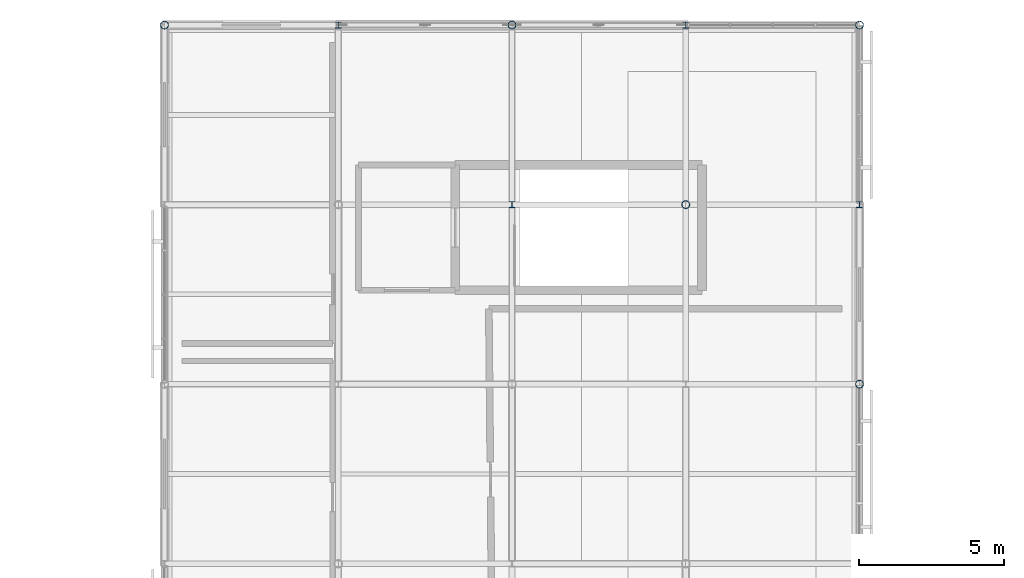
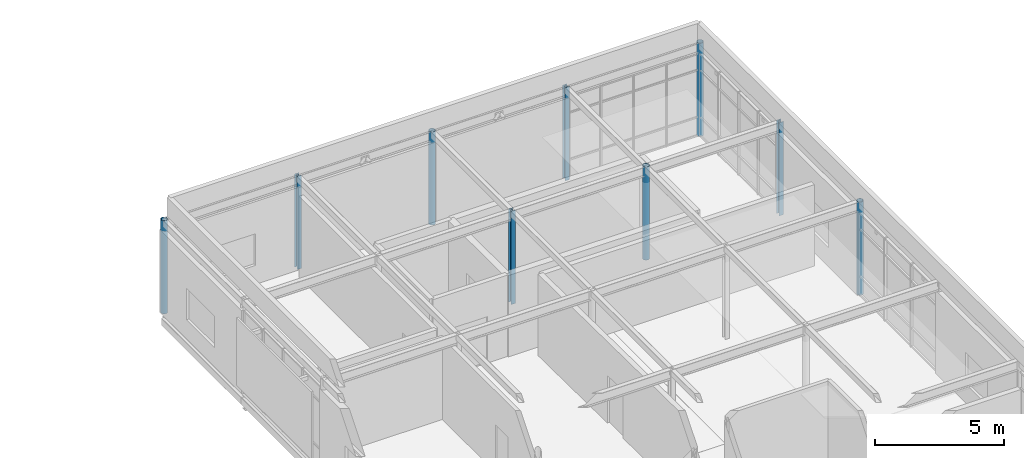
# One storey, part 4 of 16: 9 columns.
"""IFC4 building model written with IfcOpenShell, lengths in metres."""

from ifc_helpers import new_model, si_unit, direction, frame, origin, origin_2d, place, context, subcontext, project, spatial, hollow_circle, i_section, extrude, material, material_profile, profile_set, type_object, element, save


model = new_model("IFC4")

# Units and contexts
model_context = context("Model", 3, precision=1e-05, world=origin(), true_north=direction((0.0, 1.0)))
body_context = subcontext(model_context, "Body", "Model", "MODEL_VIEW")
ifc_project = project(units=[si_unit("LENGTHUNIT", "METRE"), si_unit("AREAUNIT", "SQUARE_METRE"), si_unit("VOLUMEUNIT", "CUBIC_METRE"), si_unit("PLANEANGLEUNIT", "RADIAN"), si_unit("MASSUNIT", "GRAM", prefix="KILO")], contexts=[model_context])

# Site, building, storey
site_placement = place(None, origin())
site = spatial("IfcSite", under=ifc_project, at=site_placement, CompositionType="ELEMENT")
building_placement = place(site_placement, origin())
building = spatial("IfcBuilding", under=site, at=building_placement, Name="Mirzam Square Science Centre", CompositionType="ELEMENT")
storey_placement = place(building_placement, frame((0.0, 0.0, 25.199951171875)))
storey = spatial("IfcBuildingStorey", under=building, at=storey_placement, Name="L05", CompositionType="ELEMENT", Elevation=25.199951171875)

# Columns
ifc_material = material(Name="Steel S355", Category="steel")
ifc_material_profile_1 = material_profile(ifc_material, hollow_circle(Radius=0.136474609375, WallThickness=0.010009765625, at=origin_2d()), Name="273.0x10.0CHS")
ifc_profile_set_1 = profile_set([ifc_material_profile_1], Name="Steel S355")
column_type_1 = type_object("IfcColumnType", Name="COL-CHS273", PredefinedType="COLUMN", material=ifc_profile_set_1)
for number, where, z_axis, x_axis, name in (
    (1, (114.0, 111.60009765625, 0.0), (0.0, 0.0, 1.0), (1.0, 0.0, 0.0), "L05 column G20-19"),
    (2, (126.0, 111.60009765625, 0.0), (0.0, 0.0, 1.0), (1.0, 0.0, 0.0), "L05 column G22-19"),
    (3, (132.0, 105.39990234375, 0.0), (0.0, 0.0, 1.0), (1.0, 0.0, 0.0), "L05 column G23-18"),
    (4, (138.0, 99.199951171875, 0.0), (0.0, 0.0, 1.0), (1.0, 0.0, 0.0), "L05 column G24-17"),
    (5, (138.0, 111.60009765625, 0.0), (0.0, 0.0, 1.0), (1.0, 0.0, 0.0), "L05 column G24-19"),
):
    element("IfcColumn", number, at=place(storey_placement, frame(where, z_axis=z_axis, x_axis=x_axis)), inside=storey, type_object=column_type_1, Name=name, PredefinedType="COLUMN", context=body_context, shape_type="SweptSolid", body=[
        extrude(hollow_circle(Radius=0.136474609375, WallThickness=0.010009765625, at=origin_2d()), origin(), (0.0, 0.0, 1.0), 4.41015625),
    ])
ifc_material_profile_2 = material_profile(ifc_material, i_section(OverallWidth=0.205810546875, OverallDepth=0.209716796875, WebThickness=0.009521484375, FlangeThickness=0.01416015625, FilletRadius=0.01025390625, at=origin_2d()), Name="203x203x60UC")
ifc_profile_set_2 = profile_set([ifc_material_profile_2], Name="Steel S355")
column_type_2 = type_object("IfcColumnType", Name="COL-UC203A", PredefinedType="COLUMN", material=ifc_profile_set_2)
for number, where, z_axis, x_axis, name in (
    (6, (120.0, 111.60009765625, 0.0), (0.0, 0.0, 1.0), (1.0, 0.0, 0.0), "L05 column G21-19"),
    (7, (126.0, 105.39990234375, 0.0), (0.0, 0.0, 1.0), (1.0, 0.0, 0.0), "L05 column G22-18"),
    (8, (132.0, 111.60009765625, 0.0), (0.0, 0.0, 1.0), (1.0, 0.0, 0.0), "L05 column G23-19"),
    (9, (138.0, 105.39990234375, 0.0), (0.0, 0.0, 1.0), (1.0, 0.0, 0.0), "L05 column G24-18"),
):
    element("IfcColumn", number, at=place(storey_placement, frame(where, z_axis=z_axis, x_axis=x_axis)), inside=storey, type_object=column_type_2, Name=name, PredefinedType="COLUMN", context=body_context, shape_type="SweptSolid", body=[
        extrude(i_section(OverallWidth=0.205810546875, OverallDepth=0.209716796875, WebThickness=0.009521484375, FlangeThickness=0.01416015625, FilletRadius=0.01025390625, at=origin_2d()), origin(), (0.0, 0.0, 1.0), 4.41015625),
    ])

save(model, "model.ifc")
